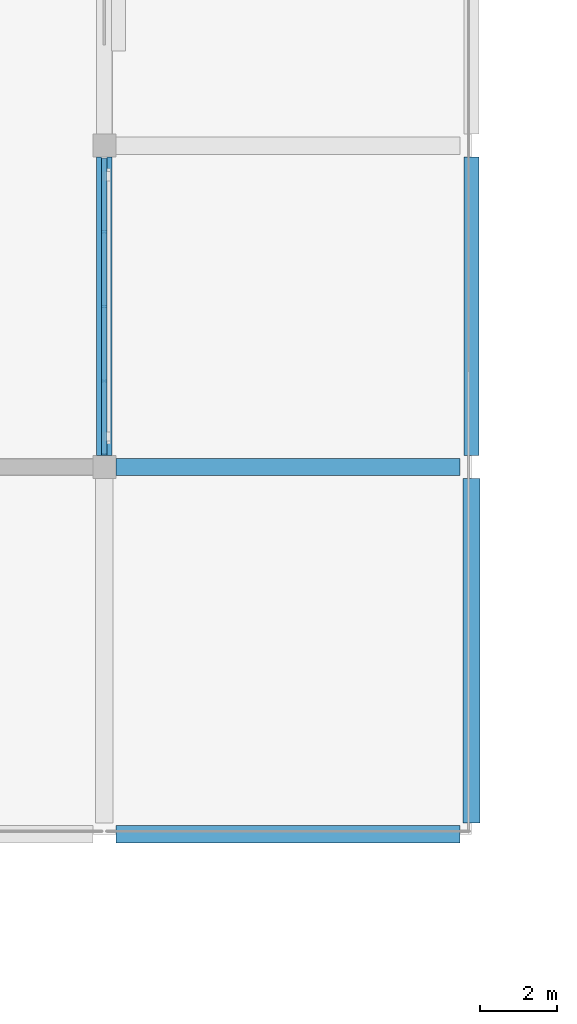
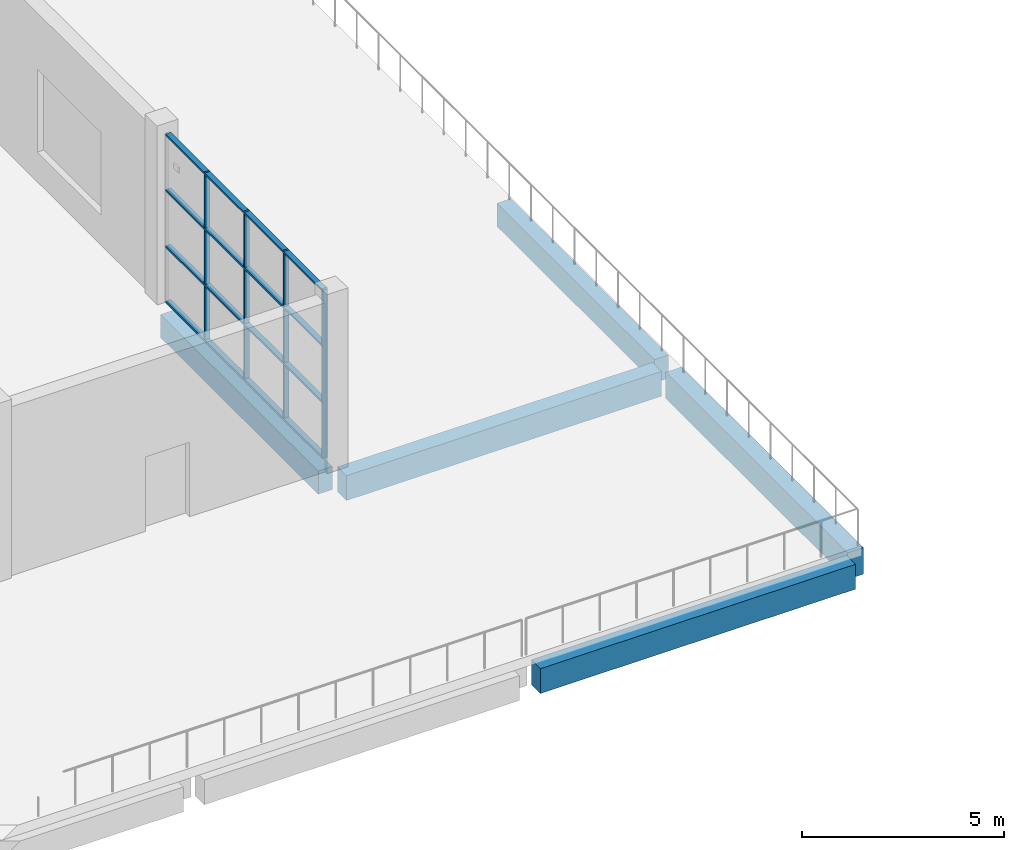
# One storey, part 15 of 72: 8 members, 5 beams, 1 element without a shape of its own.
"""IFC4 building model written with IfcOpenShell, lengths in metres."""

from ifc_helpers import new_model, si_unit, direction, frame, origin, origin_2d, place, context, subcontext, project, spatial, rectangle, extrude, material, material_profile, profile_set, type_object, element, aggregate, save


model = new_model("IFC4")

# Units and contexts
model_context = context("Model", 3, precision=1e-05, world=origin(), true_north=direction((0.0, 1.0)))
body_context = subcontext(model_context, "Body", "Model", "MODEL_VIEW")
ifc_project = project(units=[si_unit("LENGTHUNIT", "METRE"), si_unit("AREAUNIT", "SQUARE_METRE"), si_unit("VOLUMEUNIT", "CUBIC_METRE"), si_unit("PLANEANGLEUNIT", "RADIAN"), si_unit("MASSUNIT", "GRAM", prefix="KILO")], contexts=[model_context])

# Site, building, storey
site_placement = place(None, origin())
site = spatial("IfcSite", under=ifc_project, at=site_placement, CompositionType="ELEMENT")
building_placement = place(site_placement, origin())
building = spatial("IfcBuilding", under=site, at=building_placement, Name="Shalvenor Court Art Gallery", CompositionType="ELEMENT")
storey_placement = place(building_placement, frame((0.0, 0.0, 11.39990234375)))
storey = spatial("IfcBuildingStorey", under=building, at=storey_placement, Name="L02", CompositionType="ELEMENT", Elevation=11.39990234375)

# Beams
ifc_material_1 = material(Name="Concrete C40/50", Category="concrete")
ifc_material_profile_1 = material_profile(ifc_material_1, rectangle(XDim=0.449951171875, YDim=0.800048828125, at=origin_2d()), Name="RC 450x800")
ifc_profile_set_1 = profile_set([ifc_material_profile_1], Name="Concrete C40/50")
beam_type_1 = type_object("IfcBeamType", Name="B-03", PredefinedType="BEAM", material=ifc_profile_set_1)
beam_placement = place(storey_placement, frame((38.39990234375, 79.5, -0.719970703125), z_axis=(0.0, 1.0, 0.0), x_axis=(-1.0, 0.0, 0.0)))
element("IfcBeam", 1, at=beam_placement, inside=storey, type_object=beam_type_1, Name="L02 Girder BM-L02-B-03-0718", PredefinedType="BEAM", context=body_context, shape_type="SweptSolid", body=[
    extrude(rectangle(XDim=0.449951171875, YDim=0.800048828125, at=origin_2d()), origin(), (0.0, 0.0, 1.0), 9.0),
])
ifc_material_2 = material(Name="Concrete C40/50", Category="concrete")
ifc_material_profile_2 = material_profile(ifc_material_2, rectangle(XDim=0.449951171875, YDim=0.75, at=origin_2d()), Name="RC 450x750")
ifc_profile_set_2 = profile_set([ifc_material_profile_2], Name="Concrete C40/50")
beam_type_2 = type_object("IfcBeamType", Name="B-04", PredefinedType="BEAM", material=ifc_profile_set_2)
for number, where, z_axis, x_axis, name in (
    (2, (29.10009765625, 79.199951171875, -0.69482421875), (1.0, 0.0, 0.0), (0.0, 1.0, 0.0), "L02 Girder BM-L02-B-04-0858"),
    (3, (29.10009765625, 88.800048828125, -0.69482421875), (1.0, 0.0, 0.0), (0.0, 1.0, 0.0), "L02 Girder BM-L02-B-04-0866"),
):
    element("IfcBeam", number, at=place(storey_placement, frame(where, z_axis=z_axis, x_axis=x_axis)), inside=storey, type_object=beam_type_2, Name=name, PredefinedType="BEAM", context=body_context, shape_type="SweptSolid", body=[
        extrude(rectangle(XDim=0.449951171875, YDim=0.75, at=origin_2d()), origin(), (0.0, 0.0, 1.0), 9.0),
    ])
ifc_material_3 = material(Name="Concrete C40/50", Category="concrete")
ifc_material_profile_3 = material_profile(ifc_material_3, rectangle(XDim=0.39990234375, YDim=0.699951171875, at=origin_2d()), Name="RC 400x700")
ifc_profile_set_3 = profile_set([ifc_material_profile_3], Name="Concrete C40/50")
beam_type_3 = type_object("IfcBeamType", Name="B-05", PredefinedType="BEAM", material=ifc_profile_set_3)
for number, where, z_axis, x_axis, name in (
    (4, (28.800048828125, 89.10009765625, -0.669921875), (0.0, 1.0, 0.0), (-1.0, 0.0, 0.0), "L02 Girder BM-L02-B-05-0711"),
    (5, (38.39990234375, 89.10009765625, -0.669921875), (0.0, 1.0, 0.0), (-1.0, 0.0, 0.0), "L02 Girder BM-L02-B-05-0719"),
):
    element("IfcBeam", number, at=place(storey_placement, frame(where, z_axis=z_axis, x_axis=x_axis)), inside=storey, type_object=beam_type_3, Name=name, PredefinedType="BEAM", context=body_context, shape_type="SweptSolid", body=[
        extrude(rectangle(XDim=0.39990234375, YDim=0.699951171875, at=origin_2d()), origin(), (0.0, 0.0, 1.0), 7.7998046875),
    ])

# Curtain wall, members
ifc_material_4 = material(Name="Anodised aluminium and low-iron glass curtain wall", Category="aluminium")
curtain_wall_type = type_object("IfcCurtainWallType", Name="CW-4x3-78-51-611", PredefinedType="USERDEFINED", material=ifc_material_4)
curtain_wall_placement = place(storey_placement, origin())
curtain_wall = element("IfcCurtainWall", 6, at=curtain_wall_placement, inside=storey, type_object=curtain_wall_type, Name="L02 V5 Curtain Wall CW-L02-183", ObjectType="CURTAIN WALL", PredefinedType="USERDEFINED")
ifc_material_5 = material(Name="Anodised aluminium mullion", Category="aluminium")
ifc_material_profile_4 = material_profile(ifc_material_5, rectangle(XDim=0.054931640625, YDim=0.139892578125, at=origin_2d()), Name="CWM-06")
ifc_profile_set_4 = profile_set([ifc_material_profile_4], Name="Anodised aluminium mullion")
member_type_1 = type_object("IfcMemberType", Name="CWM-06", PredefinedType="MULLION", material=ifc_profile_set_4)
member_1_placement = place(storey_placement, frame((28.800048828125, 94.949951171875, 0.0), z_axis=(0.0, 0.0, 1.0), x_axis=(0.0, -1.0, 0.0)))
member_1 = element("IfcMember", 7, at=member_1_placement, type_object=member_type_1, Name="CW-4x3-78-51-611 mullion 2", PredefinedType="MULLION", context=body_context, shape_type="SweptSolid", body=[
    extrude(rectangle(XDim=0.054931640625, YDim=0.139892578125, at=origin_2d()), origin(), (0.0, 0.0, 1.0), 5.10009765625),
])
member_2_placement = place(storey_placement, frame((28.800048828125, 93.0, 0.0), z_axis=(0.0, 0.0, 1.0), x_axis=(0.0, -1.0, 0.0)))
member_2 = element("IfcMember", 8, at=member_2_placement, type_object=member_type_1, Name="CW-4x3-78-51-611 mullion 3", PredefinedType="MULLION", context=body_context, shape_type="SweptSolid", body=[
    extrude(rectangle(XDim=0.054931640625, YDim=0.139892578125, at=origin_2d()), origin(), (0.0, 0.0, 1.0), 5.10009765625),
])
member_3_placement = place(storey_placement, frame((28.800048828125, 91.050048828125, 0.0), z_axis=(0.0, 0.0, 1.0), x_axis=(0.0, -1.0, 0.0)))
member_3 = element("IfcMember", 9, at=member_3_placement, type_object=member_type_1, Name="CW-4x3-78-51-611 mullion 4", PredefinedType="MULLION", context=body_context, shape_type="SweptSolid", body=[
    extrude(rectangle(XDim=0.054931640625, YDim=0.139892578125, at=origin_2d()), origin(), (0.0, 0.0, 1.0), 5.10009765625),
])
member_4_placement = place(storey_placement, frame((28.800048828125, 89.12744140625, 0.0), z_axis=(0.0, 0.0, 1.0), x_axis=(0.0, -1.0, 0.0)))
member_4 = element("IfcMember", 10, at=member_4_placement, type_object=member_type_1, Name="CW-4x3-78-51-611 mullion 5", PredefinedType="MULLION", context=body_context, shape_type="SweptSolid", body=[
    extrude(rectangle(XDim=0.054931640625, YDim=0.139892578125, at=origin_2d()), origin(), (0.0, 0.0, 1.0), 5.10009765625),
])
ifc_material_6 = material(Name="Anodised aluminium transom", Category="aluminium")
ifc_material_profile_5 = material_profile(ifc_material_6, rectangle(XDim=0.14990234375, YDim=0.06005859375, at=origin_2d()), Name="CWT-01")
ifc_profile_set_5 = profile_set([ifc_material_profile_5], Name="Anodised aluminium transom")
member_type_2 = type_object("IfcMemberType", Name="CWT-01", PredefinedType="USERDEFINED", material=ifc_profile_set_5)
member_5_placement = place(storey_placement, frame((28.800048828125, 96.87255859375, 0.030029296875), z_axis=(0.0, -1.0, 0.0), x_axis=(1.0, 0.0, 0.0)))
member_5 = element("IfcMember", 11, at=member_5_placement, type_object=member_type_2, Name="CW-4x3-78-51-611 transom 1", ObjectType="TRANSOM", PredefinedType="USERDEFINED", context=body_context, shape_type="SweptSolid", body=[
    extrude(rectangle(XDim=0.14990234375, YDim=0.06005859375, at=origin_2d()), origin(), (0.0, 0.0, 1.0), 7.7451171875),
])
member_6_placement = place(storey_placement, frame((28.800048828125, 96.87255859375, 1.7001953125), z_axis=(0.0, -1.0, 0.0), x_axis=(1.0, 0.0, 0.0)))
member_6 = element("IfcMember", 12, at=member_6_placement, type_object=member_type_2, Name="CW-4x3-78-51-611 transom 2", ObjectType="TRANSOM", PredefinedType="USERDEFINED", context=body_context, shape_type="SweptSolid", body=[
    extrude(rectangle(XDim=0.14990234375, YDim=0.06005859375, at=origin_2d()), origin(), (0.0, 0.0, 1.0), 7.7451171875),
])
member_7_placement = place(storey_placement, frame((28.800048828125, 96.87255859375, 3.400146484375), z_axis=(0.0, -1.0, 0.0), x_axis=(1.0, 0.0, 0.0)))
member_7 = element("IfcMember", 13, at=member_7_placement, type_object=member_type_2, Name="CW-4x3-78-51-611 transom 3", ObjectType="TRANSOM", PredefinedType="USERDEFINED", context=body_context, shape_type="SweptSolid", body=[
    extrude(rectangle(XDim=0.14990234375, YDim=0.06005859375, at=origin_2d()), origin(), (0.0, 0.0, 1.0), 7.7451171875),
])
member_8_placement = place(storey_placement, frame((28.800048828125, 96.87255859375, 5.070068359375), z_axis=(0.0, -1.0, 0.0), x_axis=(1.0, 0.0, 0.0)))
member_8 = element("IfcMember", 14, at=member_8_placement, type_object=member_type_2, Name="CW-4x3-78-51-611 transom 4", ObjectType="TRANSOM", PredefinedType="USERDEFINED", context=body_context, shape_type="SweptSolid", body=[
    extrude(rectangle(XDim=0.14990234375, YDim=0.06005859375, at=origin_2d()), origin(), (0.0, 0.0, 1.0), 7.7451171875),
])
aggregate(curtain_wall, [member_1, member_2, member_3, member_4, member_5, member_6, member_7, member_8])

save(model, "model.ifc")
